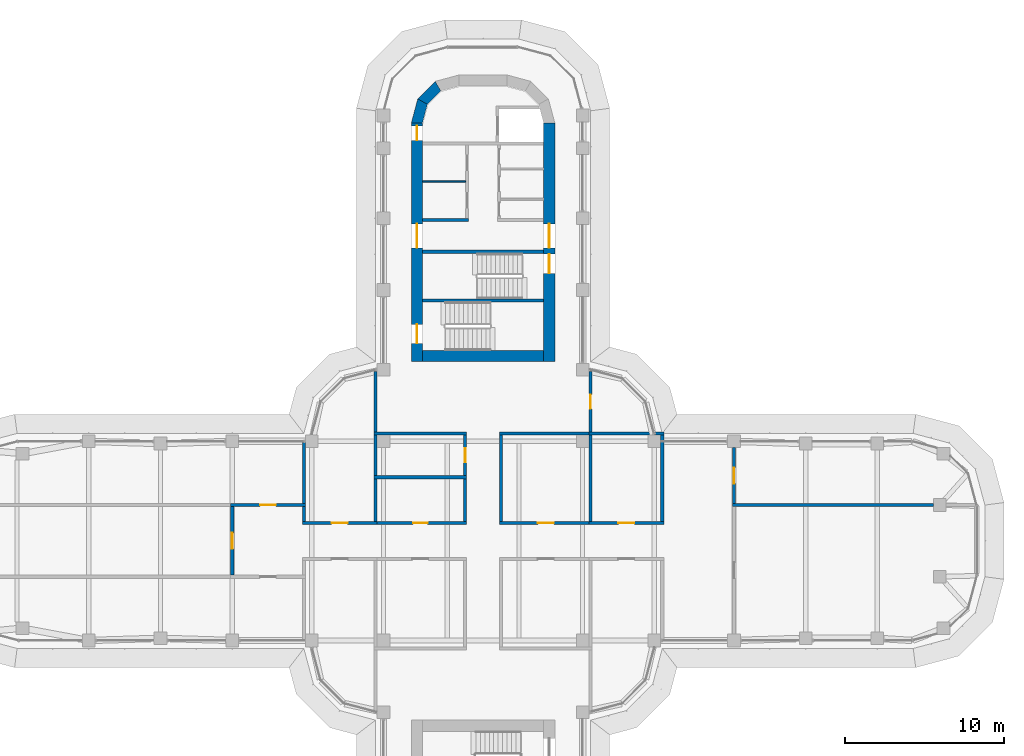
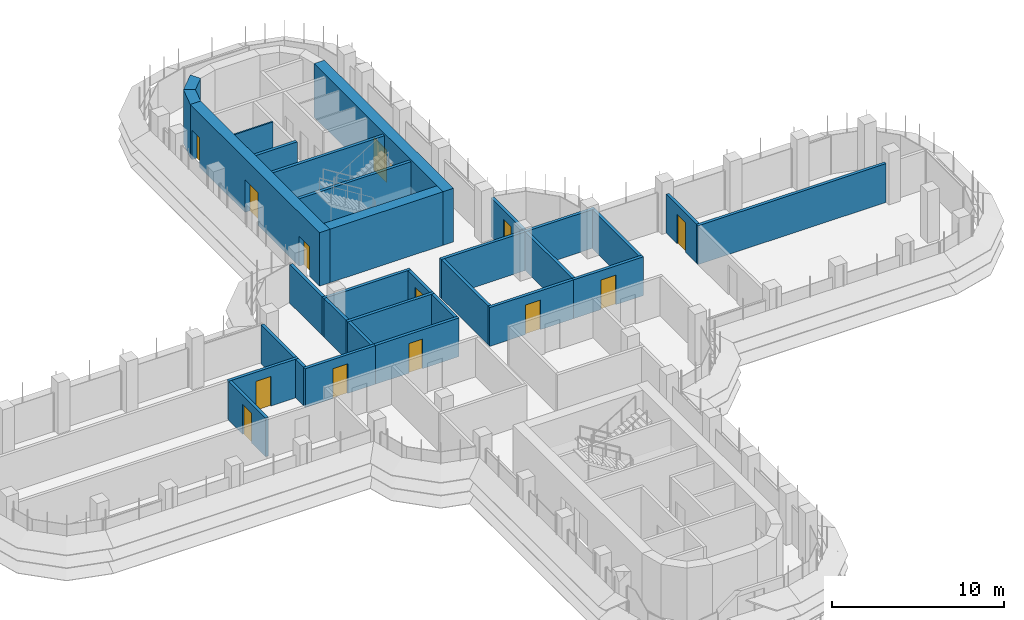
# One storey, part 15 of 20: 32 walls, 14 doors, 14 openings.
"""IFC4 building model written with IfcOpenShell, lengths in metres."""

from ifc_helpers import new_model, si_unit, direction, frame, frame_2d, origin, place, context, subcontext, project, spatial, polyline, rectangle, outline, extrude, material, layer, layer_set, type_object, element, fill, save


model = new_model("IFC4")

# Units and contexts
model_context = context("Model", 3, precision=1e-05, world=origin(), true_north=direction((0.0, 1.0)))
body_context = subcontext(model_context, "Body", "Model", "MODEL_VIEW")
ifc_project = project(units=[si_unit("LENGTHUNIT", "METRE"), si_unit("AREAUNIT", "SQUARE_METRE"), si_unit("VOLUMEUNIT", "CUBIC_METRE"), si_unit("PLANEANGLEUNIT", "RADIAN"), si_unit("MASSUNIT", "GRAM", prefix="KILO")], contexts=[model_context])

# Site, building, storey
site_placement = place(None, origin())
site = spatial("IfcSite", under=ifc_project, at=site_placement, CompositionType="ELEMENT")
building_placement = place(site_placement, origin())
building = spatial("IfcBuilding", under=site, at=building_placement, Name="Zarbagh Exchange Tower", CompositionType="ELEMENT")
storey_placement = place(building_placement, frame((0.0, 0.0, 156.199951171875)))
storey = spatial("IfcBuildingStorey", under=building, at=storey_placement, Name="L37", CompositionType="ELEMENT", Elevation=156.199951171875)

# Wall
ifc_material_1 = material(Name="Dense blockwork", Category="masonry")
ifc_layer_1 = layer(ifc_material_1, 0.10009765625)
ifc_layer_set_1 = layer_set([ifc_layer_1], Name="Core partition 100 mm blockwork")
wall_type_1 = type_object("IfcWallType", Name="Core partition 100 mm blockwork", PredefinedType="PARTITIONING", material=ifc_layer_set_1)
wall_1_placement = place(storey_placement, frame((-3.800048828125, 22.550048828125, 0.0), z_axis=(0.0, 0.0, 1.0), x_axis=(1.0, 0.0, 0.0)))
element("IfcWall", 1, at=wall_1_placement, inside=storey, type_object=wall_type_1, Name="North core partition wall CUT-W-580", PredefinedType="PARTITIONING", context=body_context, shape_type="SweptSolid", body=[
    extrude(rectangle(XDim=2.699951171875, YDim=0.10009765625, at=frame_2d((1.35009765625, 0.0))), origin(), (0.0, 0.0, 1.0), 3.650146484375),
])

# Wall, opening, door
ifc_material_2 = material(Name="Fire-rated plasterboard partition")
ifc_layer_2 = layer(ifc_material_2, 0.199951171875)
ifc_layer_set_2 = layer_set([ifc_layer_2], Name="RATED PARTITION 200")
wall_type_2 = type_object("IfcWallType", Name="RATED PARTITION 200", PredefinedType="PARTITIONING", material=ifc_layer_set_2)
wall_2_placement = place(storey_placement, frame((1.02490234375, 1.125, 0.0), z_axis=(0.0, 0.0, 1.0), x_axis=(1.0, 0.0, 0.0)))
wall_2 = element("IfcWall", 2, at=wall_2_placement, inside=storey, type_object=wall_type_2, Name="Partition W-1601", PredefinedType="PARTITIONING", context=body_context, shape_type="SweptSolid", body=[
    extrude(rectangle(XDim=5.8251953125, YDim=0.199951171875, at=frame_2d((2.91259765625, 0.0))), origin(), (0.0, 0.0, 1.0), 2.75),
])
opening_1_placement = place(wall_2_placement, frame((2.41259765625, 0.0, 0.0)))
opening_1 = element("IfcOpeningElement", 3, at=opening_1_placement, cuts=wall_2, Name="Opening D-1603", PredefinedType="OPENING", context=body_context, shape_type="SweptSolid", body=[
    extrude(rectangle(XDim=1.0, YDim=2.10009765625, at=frame_2d((0.5, 1.050048828125))), frame((0.0, 0.10986328125, 0.0), z_axis=(0.0, -1.0, 0.0), x_axis=(1.0, 0.0, 0.0)), (0.0, 0.0, 1.0), 0.219970703125),
])
ifc_material_3 = material(Name="Steel door set", Category="steel")
door_type_1 = type_object("IfcDoorType", Name="FIRE DOOR 1000 X 2100 FD30S", OperationType="NOTDEFINED", PredefinedType="DOOR", material=ifc_material_3)
door_1_placement = place(opening_1_placement, origin())
door_1 = element("IfcDoor", 4, at=door_1_placement, inside=storey, type_object=door_type_1, Name="Door D-1603", OperationType="SINGLE_SWING_RIGHT", OverallHeight=2.10009765625, OverallWidth=1.0, PredefinedType="DOOR", context=body_context, shape_type="SweptSolid", body=[
    extrude(rectangle(XDim=1.0, YDim=2.10009765625, at=frame_2d((0.5, 1.050048828125))), frame((0.0, 0.02490234375, 0.0), z_axis=(0.0, -1.0, 0.0), x_axis=(1.0, 0.0, 0.0)), (0.0, 0.0, 1.0), 0.050048828125),
])
fill(opening_1, door_1)

wall_3_placement = place(storey_placement, frame((6.64990234375, 1.125, 0.0), z_axis=(0.0, 0.0, 1.0), x_axis=(1.0, 0.0, 0.0)))
wall_3 = element("IfcWall", 5, at=wall_3_placement, inside=storey, type_object=wall_type_2, Name="Partition W-1602", PredefinedType="PARTITIONING", context=body_context, shape_type="SweptSolid", body=[
    extrude(rectangle(XDim=4.7001953125, YDim=0.199951171875, at=frame_2d((2.35009765625, 0.0))), origin(), (0.0, 0.0, 1.0), 2.75),
])
opening_2_placement = place(wall_3_placement, frame((1.85009765625, 0.0, 0.0)))
opening_2 = element("IfcOpeningElement", 6, at=opening_2_placement, cuts=wall_3, Name="Opening D-1604", PredefinedType="OPENING", context=body_context, shape_type="SweptSolid", body=[
    extrude(rectangle(XDim=1.0, YDim=2.10009765625, at=frame_2d((0.5, 1.050048828125))), frame((0.0, 0.10986328125, 0.0), z_axis=(0.0, -1.0, 0.0), x_axis=(1.0, 0.0, 0.0)), (0.0, 0.0, 1.0), 0.219970703125),
])
door_2_placement = place(opening_2_placement, origin())
door_2 = element("IfcDoor", 7, at=door_2_placement, inside=storey, type_object=door_type_1, Name="Door D-1604", OperationType="SINGLE_SWING_RIGHT", OverallHeight=2.10009765625, OverallWidth=1.0, PredefinedType="DOOR", context=body_context, shape_type="SweptSolid", body=[
    extrude(rectangle(XDim=1.0, YDim=2.10009765625, at=frame_2d((0.5, 1.050048828125))), frame((0.0, 0.02490234375, 0.0), z_axis=(0.0, -1.0, 0.0), x_axis=(1.0, 0.0, 0.0)), (0.0, 0.0, 1.0), 0.050048828125),
])
fill(opening_2, door_2)

wall_4_placement = place(storey_placement, frame((-6.85009765625, 1.125, 0.0), z_axis=(0.0, 0.0, 1.0), x_axis=(1.0, 0.0, 0.0)))
wall_4 = element("IfcWall", 8, at=wall_4_placement, inside=storey, type_object=wall_type_2, Name="Partition W-1603", PredefinedType="PARTITIONING", context=body_context, shape_type="SweptSolid", body=[
    extrude(rectangle(XDim=5.8251953125, YDim=0.199951171875, at=frame_2d((2.91259765625, 0.0))), origin(), (0.0, 0.0, 1.0), 2.75),
])
opening_3_placement = place(wall_4_placement, frame((2.46240234375, 0.0, 0.0)))
opening_3 = element("IfcOpeningElement", 9, at=opening_3_placement, cuts=wall_4, Name="Opening D-1606", PredefinedType="OPENING", context=body_context, shape_type="SweptSolid", body=[
    extrude(rectangle(XDim=0.89990234375, YDim=2.10009765625, at=frame_2d((0.449951171875, 1.050048828125))), frame((0.0, 0.10986328125, 0.0), z_axis=(0.0, -1.0, 0.0), x_axis=(1.0, 0.0, 0.0)), (0.0, 0.0, 1.0), 0.219970703125),
])
ifc_material_4 = material(Name="Timber door leaf", Category="wood")
door_type_2 = type_object("IfcDoorType", Name="DOOR 900 X 2100", OperationType="NOTDEFINED", PredefinedType="DOOR", material=ifc_material_4)
door_3_placement = place(opening_3_placement, origin())
door_3 = element("IfcDoor", 10, at=door_3_placement, inside=storey, type_object=door_type_2, Name="Door D-1606", OperationType="SINGLE_SWING_RIGHT", OverallHeight=2.10009765625, OverallWidth=0.89990234375, PredefinedType="DOOR", context=body_context, shape_type="SweptSolid", body=[
    extrude(rectangle(XDim=0.89990234375, YDim=2.10009765625, at=frame_2d((0.449951171875, 1.050048828125))), frame((0.0, 0.02490234375, 0.0), z_axis=(0.0, -1.0, 0.0), x_axis=(1.0, 0.0, 0.0)), (0.0, 0.0, 1.0), 0.050048828125),
])
fill(opening_3, door_3)

wall_5_placement = place(storey_placement, frame((-11.35009765625, 1.125, 0.0), z_axis=(0.0, 0.0, 1.0), x_axis=(1.0, 0.0, 0.0)))
wall_5 = element("IfcWall", 11, at=wall_5_placement, inside=storey, type_object=wall_type_2, Name="Partition W-1604", PredefinedType="PARTITIONING", context=body_context, shape_type="SweptSolid", body=[
    extrude(rectangle(XDim=4.7001953125, YDim=0.199951171875, at=frame_2d((2.35009765625, 0.0))), origin(), (0.0, 0.0, 1.0), 2.75),
])
opening_4_placement = place(wall_5_placement, frame((1.85009765625, 0.0, 0.0)))
opening_4 = element("IfcOpeningElement", 12, at=opening_4_placement, cuts=wall_5, Name="Opening D-1608", PredefinedType="OPENING", context=body_context, shape_type="SweptSolid", body=[
    extrude(rectangle(XDim=1.0, YDim=2.10009765625, at=frame_2d((0.5, 1.050048828125))), frame((0.0, 0.10986328125, 0.0), z_axis=(0.0, -1.0, 0.0), x_axis=(1.0, 0.0, 0.0)), (0.0, 0.0, 1.0), 0.219970703125),
])
door_4_placement = place(opening_4_placement, origin())
door_4 = element("IfcDoor", 13, at=door_4_placement, inside=storey, type_object=door_type_1, Name="Door D-1608", OperationType="SINGLE_SWING_RIGHT", OverallHeight=2.10009765625, OverallWidth=1.0, PredefinedType="DOOR", context=body_context, shape_type="SweptSolid", body=[
    extrude(rectangle(XDim=1.0, YDim=2.10009765625, at=frame_2d((0.5, 1.050048828125))), frame((0.0, 0.02490234375, 0.0), z_axis=(0.0, -1.0, 0.0), x_axis=(1.0, 0.0, 0.0)), (0.0, 0.0, 1.0), 0.050048828125),
])
fill(opening_4, door_4)

# Walls
wall_6_placement = place(storey_placement, frame((1.125, 1.22509765625, 0.0), z_axis=(0.0, 0.0, 1.0), x_axis=(0.0, 1.0, 0.0)))
element("IfcWall", 14, at=wall_6_placement, inside=storey, type_object=wall_type_2, Name="Partition W-1609", PredefinedType="PARTITIONING", context=body_context, shape_type="SweptSolid", body=[
    extrude(rectangle(XDim=5.4248046875, YDim=0.199951171875, at=frame_2d((2.71240234375, 0.0))), origin(), (0.0, 0.0, 1.0), 2.75),
])
wall_7_placement = place(storey_placement, frame((-1.125, 1.22509765625, 0.0), z_axis=(0.0, 0.0, 1.0), x_axis=(0.0, 1.0, 0.0)))
element("IfcWall", 15, at=wall_7_placement, inside=storey, type_object=wall_type_2, Name="Partition W-1610", PredefinedType="PARTITIONING", context=body_context, shape_type="SweptSolid", body=[
    extrude(rectangle(XDim=2.6748046875, YDim=0.199951171875, at=frame_2d((1.33740234375, 0.0))), origin(), (0.0, 0.0, 1.0), 2.75),
])

# Wall, opening, door
wall_8_placement = place(storey_placement, frame((-1.125, 4.10009765625, 0.0), z_axis=(0.0, 0.0, 1.0), x_axis=(0.0, 1.0, 0.0)))
wall_8 = element("IfcWall", 16, at=wall_8_placement, inside=storey, type_object=wall_type_2, Name="Partition W-1611", PredefinedType="PARTITIONING", context=body_context, shape_type="SweptSolid", body=[
    extrude(rectangle(XDim=2.5498046875, YDim=0.199951171875, at=frame_2d((1.27490234375, 0.0))), origin(), (0.0, 0.0, 1.0), 2.75),
])
opening_5_placement = place(wall_8_placement, frame((0.824951171875, 0.0, 0.0)))
opening_5 = element("IfcOpeningElement", 17, at=opening_5_placement, cuts=wall_8, Name="Opening D-1607", PredefinedType="OPENING", context=body_context, shape_type="SweptSolid", body=[
    extrude(rectangle(XDim=0.89990234375, YDim=2.10009765625, at=frame_2d((0.449951171875, 1.050048828125))), frame((0.0, 0.10986328125, 0.0), z_axis=(0.0, -1.0, 0.0), x_axis=(1.0, 0.0, 0.0)), (0.0, 0.0, 1.0), 0.219970703125),
])
door_5_placement = place(opening_5_placement, origin())
door_5 = element("IfcDoor", 18, at=door_5_placement, inside=storey, type_object=door_type_2, Name="Door D-1607", OperationType="SINGLE_SWING_RIGHT", OverallHeight=2.10009765625, OverallWidth=0.89990234375, PredefinedType="DOOR", context=body_context, shape_type="SweptSolid", body=[
    extrude(rectangle(XDim=0.89990234375, YDim=2.10009765625, at=frame_2d((0.449951171875, 1.050048828125))), frame((0.0, 0.02490234375, 0.0), z_axis=(0.0, -1.0, 0.0), x_axis=(1.0, 0.0, 0.0)), (0.0, 0.0, 1.0), 0.050048828125),
])
fill(opening_5, door_5)

# Wall
wall_9_placement = place(storey_placement, frame((1.02490234375, 6.75, 0.0), z_axis=(0.0, 0.0, 1.0), x_axis=(1.0, 0.0, 0.0)))
element("IfcWall", 19, at=wall_9_placement, inside=storey, type_object=wall_type_2, Name="Partition W-1614", PredefinedType="PARTITIONING", context=body_context, shape_type="SweptSolid", body=[
    extrude(rectangle(XDim=5.8251953125, YDim=0.199951171875, at=frame_2d((2.91259765625, 0.0))), origin(), (0.0, 0.0, 1.0), 2.75),
])

# Wall, opening, door
wall_10_placement = place(storey_placement, frame((6.75, 10.6298828125, 0.0), z_axis=(0.0, 0.0, 1.0), x_axis=(0.0, -1.0, 0.0)))
wall_10 = element("IfcWall", 20, at=wall_10_placement, inside=storey, type_object=wall_type_2, Name="Partition W-1615", PredefinedType="PARTITIONING", context=body_context, shape_type="SweptSolid", body=[
    extrude(rectangle(XDim=3.77978515625, YDim=0.199951171875, at=frame_2d((1.889892578125, 0.0))), origin(), (0.0, 0.0, 1.0), 2.75),
])
opening_6_placement = place(wall_10_placement, frame((1.43994140625, 0.0, 0.0)))
opening_6 = element("IfcOpeningElement", 21, at=opening_6_placement, cuts=wall_10, Name="Opening D-1605", PredefinedType="OPENING", context=body_context, shape_type="SweptSolid", body=[
    extrude(rectangle(XDim=0.89990234375, YDim=2.10009765625, at=frame_2d((0.449951171875, 1.050048828125))), frame((0.0, 0.10986328125, 0.0), z_axis=(0.0, -1.0, 0.0), x_axis=(1.0, 0.0, 0.0)), (0.0, 0.0, 1.0), 0.219970703125),
])
door_6_placement = place(opening_6_placement, origin())
door_6 = element("IfcDoor", 22, at=door_6_placement, inside=storey, type_object=door_type_2, Name="Door D-1605", OperationType="SINGLE_SWING_RIGHT", OverallHeight=2.10009765625, OverallWidth=0.89990234375, PredefinedType="DOOR", context=body_context, shape_type="SweptSolid", body=[
    extrude(rectangle(XDim=0.89990234375, YDim=2.10009765625, at=frame_2d((0.449951171875, 1.050048828125))), frame((0.0, 0.02490234375, 0.0), z_axis=(0.0, -1.0, 0.0), x_axis=(1.0, 0.0, 0.0)), (0.0, 0.0, 1.0), 0.050048828125),
])
fill(opening_6, door_6)

# Walls
wall_11_placement = place(storey_placement, frame((-6.85009765625, 6.75, 0.0), z_axis=(0.0, 0.0, 1.0), x_axis=(1.0, 0.0, 0.0)))
element("IfcWall", 23, at=wall_11_placement, inside=storey, type_object=wall_type_2, Name="Partition W-1616", PredefinedType="PARTITIONING", context=body_context, shape_type="SweptSolid", body=[
    extrude(rectangle(XDim=5.8251953125, YDim=0.199951171875, at=frame_2d((2.91259765625, 0.0))), origin(), (0.0, 0.0, 1.0), 2.75),
])
wall_12_placement = place(storey_placement, frame((-6.75, 6.85009765625, 0.0), z_axis=(0.0, 0.0, 1.0), x_axis=(0.0, 1.0, 0.0)))
element("IfcWall", 24, at=wall_12_placement, inside=storey, type_object=wall_type_2, Name="Partition W-1617", PredefinedType="PARTITIONING", context=body_context, shape_type="SweptSolid", body=[
    extrude(rectangle(XDim=3.77978515625, YDim=0.199951171875, at=frame_2d((1.889892578125, 0.0))), origin(), (0.0, 0.0, 1.0), 2.75),
])
wall_13_placement = place(storey_placement, frame((6.75, 1.22509765625, 0.0), z_axis=(0.0, 0.0, 1.0), x_axis=(0.0, 1.0, 0.0)))
element("IfcWall", 25, at=wall_13_placement, inside=storey, type_object=wall_type_2, Name="Partition W-1622", PredefinedType="PARTITIONING", context=body_context, shape_type="SweptSolid", body=[
    extrude(rectangle(XDim=5.4248046875, YDim=0.199951171875, at=frame_2d((2.71240234375, 0.0))), origin(), (0.0, 0.0, 1.0), 2.75),
])
wall_14_placement = place(storey_placement, frame((6.64990234375, 6.75, 0.0), z_axis=(0.0, 0.0, 1.0), x_axis=(1.0, 0.0, 0.0)))
element("IfcWall", 26, at=wall_14_placement, inside=storey, type_object=wall_type_2, Name="Partition W-1623", PredefinedType="PARTITIONING", context=body_context, shape_type="SweptSolid", body=[
    extrude(rectangle(XDim=4.7001953125, YDim=0.199951171875, at=frame_2d((2.35009765625, 0.0))), origin(), (0.0, 0.0, 1.0), 2.75),
])
wall_15_placement = place(storey_placement, frame((11.25, 1.22509765625, 0.0), z_axis=(0.0, 0.0, 1.0), x_axis=(0.0, 1.0, 0.0)))
element("IfcWall", 27, at=wall_15_placement, inside=storey, type_object=wall_type_2, Name="Partition W-1624", PredefinedType="PARTITIONING", context=body_context, shape_type="SweptSolid", body=[
    extrude(rectangle(XDim=5.4248046875, YDim=0.199951171875, at=frame_2d((2.71240234375, 0.0))), origin(), (0.0, 0.0, 1.0), 2.75),
])
wall_16_placement = place(storey_placement, frame((-6.85009765625, 4.0, 0.0), z_axis=(0.0, 0.0, 1.0), x_axis=(1.0, 0.0, 0.0)))
element("IfcWall", 28, at=wall_16_placement, inside=storey, type_object=wall_type_2, Name="Partition W-1625", PredefinedType="PARTITIONING", context=body_context, shape_type="SweptSolid", body=[
    extrude(rectangle(XDim=5.8251953125, YDim=0.199951171875, at=frame_2d((2.91259765625, 0.0))), origin(), (0.0, 0.0, 1.0), 2.75),
])
wall_17_placement = place(storey_placement, frame((-6.75, 1.22509765625, 0.0), z_axis=(0.0, 0.0, 1.0), x_axis=(0.0, 1.0, 0.0)))
element("IfcWall", 29, at=wall_17_placement, inside=storey, type_object=wall_type_2, Name="Partition W-1626", PredefinedType="PARTITIONING", context=body_context, shape_type="SweptSolid", body=[
    extrude(rectangle(XDim=2.6748046875, YDim=0.199951171875, at=frame_2d((1.33740234375, 0.0))), origin(), (0.0, 0.0, 1.0), 2.75),
])
wall_18_placement = place(storey_placement, frame((-6.75, 4.10009765625, 0.0), z_axis=(0.0, 0.0, 1.0), x_axis=(0.0, 1.0, 0.0)))
element("IfcWall", 30, at=wall_18_placement, inside=storey, type_object=wall_type_2, Name="Partition W-1627", PredefinedType="PARTITIONING", context=body_context, shape_type="SweptSolid", body=[
    extrude(rectangle(XDim=2.5498046875, YDim=0.199951171875, at=frame_2d((1.27490234375, 0.0))), origin(), (0.0, 0.0, 1.0), 2.75),
])
wall_19_placement = place(storey_placement, frame((-11.25, 1.22509765625, 0.0), z_axis=(0.0, 0.0, 1.0), x_axis=(0.0, 1.0, 0.0)))
element("IfcWall", 31, at=wall_19_placement, inside=storey, type_object=wall_type_2, Name="Partition W-1628", PredefinedType="PARTITIONING", context=body_context, shape_type="SweptSolid", body=[
    extrude(rectangle(XDim=0.9248046875, YDim=0.199951171875, at=frame_2d((0.46240234375, 0.0))), origin(), (0.0, 0.0, 1.0), 2.75),
])
wall_20_placement = place(storey_placement, frame((-11.25, 2.35009765625, 0.0), z_axis=(0.0, 0.0, 1.0), x_axis=(0.0, 1.0, 0.0)))
element("IfcWall", 32, at=wall_20_placement, inside=storey, type_object=wall_type_2, Name="Partition W-1629", PredefinedType="PARTITIONING", context=body_context, shape_type="SweptSolid", body=[
    extrude(rectangle(XDim=3.81982421875, YDim=0.199951171875, at=frame_2d((1.909912109375, 0.0))), origin(), (0.0, 0.0, 1.0), 2.75),
])

# Wall, opening, door
wall_21_placement = place(storey_placement, frame((15.75, 5.85009765625, 0.0), z_axis=(0.0, 0.0, 1.0), x_axis=(0.0, -1.0, 0.0)))
wall_21 = element("IfcWall", 33, at=wall_21_placement, inside=storey, type_object=wall_type_2, Name="Partition W-1636", PredefinedType="PARTITIONING", context=body_context, shape_type="SweptSolid", body=[
    extrude(rectangle(XDim=3.5, YDim=0.199951171875, at=frame_2d((1.75, 0.0))), origin(), (0.0, 0.0, 1.0), 2.75),
])
opening_7_placement = place(wall_21_placement, frame((1.25, 0.0, 0.0)))
opening_7 = element("IfcOpeningElement", 34, at=opening_7_placement, cuts=wall_21, Name="Opening D-1602", PredefinedType="OPENING", context=body_context, shape_type="SweptSolid", body=[
    extrude(rectangle(XDim=1.0, YDim=2.10009765625, at=frame_2d((0.5, 1.050048828125))), frame((0.0, 0.10986328125, 0.0), z_axis=(0.0, -1.0, 0.0), x_axis=(1.0, 0.0, 0.0)), (0.0, 0.0, 1.0), 0.219970703125),
])
door_7_placement = place(opening_7_placement, origin())
door_7 = element("IfcDoor", 35, at=door_7_placement, inside=storey, type_object=door_type_1, Name="Door D-1602", OperationType="SINGLE_SWING_RIGHT", OverallHeight=2.10009765625, OverallWidth=1.0, PredefinedType="DOOR", context=body_context, shape_type="SweptSolid", body=[
    extrude(rectangle(XDim=1.0, YDim=2.10009765625, at=frame_2d((0.5, 1.050048828125))), frame((0.0, 0.02490234375, 0.0), z_axis=(0.0, -1.0, 0.0), x_axis=(1.0, 0.0, 0.0)), (0.0, 0.0, 1.0), 0.050048828125),
])
fill(opening_7, door_7)

# Wall
wall_22_placement = place(storey_placement, frame((15.64990234375, 2.25, 0.0), z_axis=(0.0, 0.0, 1.0), x_axis=(1.0, 0.0, 0.0)))
element("IfcWall", 36, at=wall_22_placement, inside=storey, type_object=wall_type_2, Name="Partition W-1637", PredefinedType="PARTITIONING", context=body_context, shape_type="SweptSolid", body=[
    extrude(rectangle(XDim=12.6201171875, YDim=0.199951171875, at=frame_2d((6.31005859375, 0.0))), origin(), (0.0, 0.0, 1.0), 2.75),
])

# Wall, opening, door
wall_23_placement = place(storey_placement, frame((-15.85009765625, 2.25, 0.0), z_axis=(0.0, 0.0, 1.0), x_axis=(1.0, 0.0, 0.0)))
wall_23 = element("IfcWall", 37, at=wall_23_placement, inside=storey, type_object=wall_type_2, Name="Partition W-1639", PredefinedType="PARTITIONING", context=body_context, shape_type="SweptSolid", body=[
    extrude(rectangle(XDim=4.7001953125, YDim=0.199951171875, at=frame_2d((2.35009765625, 0.0))), origin(), (0.0, 0.0, 1.0), 2.75),
])
opening_8_placement = place(wall_23_placement, frame((1.85009765625, 0.0, 0.0)))
opening_8 = element("IfcOpeningElement", 38, at=opening_8_placement, cuts=wall_23, Name="Opening D-1614", PredefinedType="OPENING", context=body_context, shape_type="SweptSolid", body=[
    extrude(rectangle(XDim=1.0, YDim=2.10009765625, at=frame_2d((0.5, 1.050048828125))), frame((0.0, 0.10986328125, 0.0), z_axis=(0.0, -1.0, 0.0), x_axis=(1.0, 0.0, 0.0)), (0.0, 0.0, 1.0), 0.219970703125),
])
door_8_placement = place(opening_8_placement, origin())
door_8 = element("IfcDoor", 39, at=door_8_placement, inside=storey, type_object=door_type_1, Name="Door D-1614", OperationType="SINGLE_SWING_RIGHT", OverallHeight=2.10009765625, OverallWidth=1.0, PredefinedType="DOOR", context=body_context, shape_type="SweptSolid", body=[
    extrude(rectangle(XDim=1.0, YDim=2.10009765625, at=frame_2d((0.5, 1.050048828125))), frame((0.0, 0.02490234375, 0.0), z_axis=(0.0, -1.0, 0.0), x_axis=(1.0, 0.0, 0.0)), (0.0, 0.0, 1.0), 0.050048828125),
])
fill(opening_8, door_8)

wall_24_placement = place(storey_placement, frame((-15.75, -2.14990234375, 0.0), z_axis=(0.0, 0.0, 1.0), x_axis=(0.0, 1.0, 0.0)))
wall_24 = element("IfcWall", 40, at=wall_24_placement, inside=storey, type_object=wall_type_2, Name="Partition W-1641", PredefinedType="PARTITIONING", context=body_context, shape_type="SweptSolid", body=[
    extrude(rectangle(XDim=4.2998046875, YDim=0.199951171875, at=frame_2d((2.14990234375, 0.0))), origin(), (0.0, 0.0, 1.0), 2.75),
])
opening_9_placement = place(wall_24_placement, frame((1.64990234375, 0.0, 0.0)))
opening_9 = element("IfcOpeningElement", 41, at=opening_9_placement, cuts=wall_24, Name="Opening D-1613", PredefinedType="OPENING", context=body_context, shape_type="SweptSolid", body=[
    extrude(rectangle(XDim=1.0, YDim=2.10009765625, at=frame_2d((0.5, 1.050048828125))), frame((0.0, 0.10986328125, 0.0), z_axis=(0.0, -1.0, 0.0), x_axis=(1.0, 0.0, 0.0)), (0.0, 0.0, 1.0), 0.219970703125),
])
door_9_placement = place(opening_9_placement, origin())
door_9 = element("IfcDoor", 42, at=door_9_placement, inside=storey, type_object=door_type_1, Name="Door D-1613", OperationType="SINGLE_SWING_RIGHT", OverallHeight=2.10009765625, OverallWidth=1.0, PredefinedType="DOOR", context=body_context, shape_type="SweptSolid", body=[
    extrude(rectangle(XDim=1.0, YDim=2.10009765625, at=frame_2d((0.5, 1.050048828125))), frame((0.0, 0.02490234375, 0.0), z_axis=(0.0, -1.0, 0.0), x_axis=(1.0, 0.0, 0.0)), (0.0, 0.0, 1.0), 0.050048828125),
])
fill(opening_9, door_9)

# Walls
ifc_material_5 = material(Name="Concrete C50/60", Category="concrete")
ifc_layer_3 = layer(ifc_material_5, 0.699951171875)
ifc_layer_set_3 = layer_set([ifc_layer_3], Name="RC core corner wall 700 C50/60")
wall_type_3 = type_object("IfcWallType", Name="RC core corner wall 700 C50/60", PredefinedType="SHEAR", material=ifc_layer_set_3)
wall_25_placement = place(storey_placement, origin())
element("IfcWall", 43, at=wall_25_placement, inside=storey, type_object=wall_type_3, Name="CW6 core N corner W", PredefinedType="SHEAR", context=body_context, shape_type="SweptSolid", body=[
    extrude(outline(polyline([(-4.5, 26.25), (-4.09814453125, 27.75), (-3.491943359375, 27.39990234375), (-3.800048828125, 26.25), (-4.5, 26.25)])), origin(), (0.0, 0.0, 1.0), 3.800048828125),
])
wall_26_placement = place(storey_placement, origin())
element("IfcWall", 44, at=wall_26_placement, inside=storey, type_object=wall_type_3, Name="CW6 core N corner W", PredefinedType="SHEAR", context=body_context, shape_type="SweptSolid", body=[
    extrude(outline(polyline([(-4.09814453125, 27.75), (-3.0, 28.84814453125), (-2.64990234375, 28.241943359375), (-3.491943359375, 27.39990234375), (-4.09814453125, 27.75)])), origin(), (0.0, 0.0, 1.0), 3.800048828125),
])

# Wall, openings, doors
ifc_layer_4 = layer(ifc_material_5, 0.699951171875)
ifc_layer_set_4 = layer_set([ifc_layer_4], Name="RC core wall 700 C50/60")
wall_type_4 = type_object("IfcWallType", Name="RC core wall 700 C50/60", PredefinedType="SHEAR", material=ifc_layer_set_4)
wall_27_placement = place(storey_placement, frame((-4.14990234375, 11.25, 0.0), z_axis=(0.0, 0.0, 1.0), x_axis=(0.0, 1.0, 0.0)))
wall_27 = element("IfcWall", 45, at=wall_27_placement, inside=storey, type_object=wall_type_4, Name="CW5 core N W", PredefinedType="SHEAR", context=body_context, shape_type="SweptSolid", body=[
    extrude(rectangle(XDim=15.0, YDim=0.699951171875, at=frame_2d((7.5, 0.0))), origin(), (0.0, 0.0, 1.0), 3.800048828125),
])
opening_10_placement = place(wall_27_placement, frame((7.14990234375, 0.0, 0.0)))
opening_10 = element("IfcOpeningElement", 46, at=opening_10_placement, cuts=wall_27, Name="Opening CD1-1500", PredefinedType="OPENING", context=body_context, shape_type="SweptSolid", body=[
    extrude(rectangle(XDim=1.5, YDim=2.300048828125, at=frame_2d((0.75, 1.14990234375))), frame((0.0, 0.35986328125, 0.0), z_axis=(0.0, -1.0, 0.0), x_axis=(1.0, 0.0, 0.0)), (0.0, 0.0, 1.0), 0.719970703125),
])
opening_11_placement = place(wall_27_placement, frame((13.89990234375, 0.0, 0.0)))
opening_11 = element("IfcOpeningElement", 47, at=opening_11_placement, cuts=wall_27, Name="Opening CD2-900", PredefinedType="OPENING", context=body_context, shape_type="SweptSolid", body=[
    extrude(rectangle(XDim=0.89990234375, YDim=2.10009765625, at=frame_2d((0.449951171875, 1.050048828125))), frame((0.0, 0.35986328125, 0.0), z_axis=(0.0, -1.0, 0.0), x_axis=(1.0, 0.0, 0.0)), (0.0, 0.0, 1.0), 0.719970703125),
])
opening_12_placement = place(wall_27_placement, frame((1.14990234375, 0.0, 0.0)))
opening_12 = element("IfcOpeningElement", 48, at=opening_12_placement, cuts=wall_27, Name="Opening SD1-1200", PredefinedType="OPENING", context=body_context, shape_type="SweptSolid", body=[
    extrude(rectangle(XDim=1.199951171875, YDim=2.10009765625, at=frame_2d((0.60009765625, 1.050048828125))), frame((0.0, 0.35986328125, 0.0), z_axis=(0.0, -1.0, 0.0), x_axis=(1.0, 0.0, 0.0)), (0.0, 0.0, 1.0), 0.719970703125),
])
ifc_material_6 = material(Name="Steel", Category="steel")
door_type_3 = type_object("IfcDoorType", Name="Exit stair door 1200 x 2100", OperationType="NOTDEFINED", PredefinedType="DOOR", material=ifc_material_6)
door_10_placement = place(opening_12_placement, origin())
door_10 = element("IfcDoor", 49, at=door_10_placement, inside=storey, type_object=door_type_3, Name="North core stair door ST2", OperationType="SINGLE_SWING_RIGHT", OverallHeight=2.10009765625, OverallWidth=1.199951171875, PredefinedType="DOOR", context=body_context, shape_type="SweptSolid", body=[
    extrude(rectangle(XDim=1.199951171875, YDim=2.10009765625, at=frame_2d((0.60009765625, 1.050048828125))), frame((0.0, 0.02490234375, 0.0), z_axis=(0.0, -1.0, 0.0), x_axis=(1.0, 0.0, 0.0)), (0.0, 0.0, 1.0), 0.050048828125),
])
fill(opening_12, door_10)
door_type_4 = type_object("IfcDoorType", Name="Firefighting lobby door 900 x 2100", OperationType="NOTDEFINED", PredefinedType="DOOR", material=ifc_material_6)
door_11_placement = place(opening_11_placement, origin())
door_11 = element("IfcDoor", 50, at=door_11_placement, inside=storey, type_object=door_type_4, Name="North core firefighting lobby door FF-W", OperationType="SINGLE_SWING_LEFT", OverallHeight=2.10009765625, OverallWidth=0.89990234375, PredefinedType="DOOR", context=body_context, shape_type="SweptSolid", body=[
    extrude(rectangle(XDim=0.89990234375, YDim=2.10009765625, at=frame_2d((0.449951171875, 1.050048828125))), frame((0.0, 0.02490234375, 0.0), z_axis=(0.0, -1.0, 0.0), x_axis=(1.0, 0.0, 0.0)), (0.0, 0.0, 1.0), 0.050048828125),
])
fill(opening_11, door_11)
door_type_5 = type_object("IfcDoorType", Name="Lift lobby double door 1500 x 2300", OperationType="NOTDEFINED", PredefinedType="DOOR", material=ifc_material_6)
door_12_placement = place(opening_10_placement, origin())
door_12 = element("IfcDoor", 51, at=door_12_placement, inside=storey, type_object=door_type_5, Name="North core lift lobby door LOBBY-W", OperationType="DOUBLE_DOOR_SINGLE_SWING", OverallHeight=2.300048828125, OverallWidth=1.5, PredefinedType="DOOR", context=body_context, shape_type="SweptSolid", body=[
    extrude(rectangle(XDim=1.5, YDim=2.300048828125, at=frame_2d((0.75, 1.14990234375))), frame((0.0, 0.02490234375, 0.0), z_axis=(0.0, -1.0, 0.0), x_axis=(1.0, 0.0, 0.0)), (0.0, 0.0, 1.0), 0.050048828125),
])
fill(opening_10, door_12)

wall_28_placement = place(storey_placement, frame((4.14990234375, 11.25, 0.0), z_axis=(0.0, 0.0, 1.0), x_axis=(0.0, 1.0, 0.0)))
wall_28 = element("IfcWall", 52, at=wall_28_placement, inside=storey, type_object=wall_type_4, Name="CW5 core N E", PredefinedType="SHEAR", context=body_context, shape_type="SweptSolid", body=[
    extrude(rectangle(XDim=15.0, YDim=0.699951171875, at=frame_2d((7.5, 0.0))), origin(), (0.0, 0.0, 1.0), 3.800048828125),
])
opening_13_placement = place(wall_28_placement, frame((7.14990234375, 0.0, 0.0)))
opening_13 = element("IfcOpeningElement", 53, at=opening_13_placement, cuts=wall_28, Name="Opening CD1-1500", PredefinedType="OPENING", context=body_context, shape_type="SweptSolid", body=[
    extrude(rectangle(XDim=1.5, YDim=2.300048828125, at=frame_2d((0.75, 1.14990234375))), frame((0.0, 0.35986328125, 0.0), z_axis=(0.0, -1.0, 0.0), x_axis=(1.0, 0.0, 0.0)), (0.0, 0.0, 1.0), 0.719970703125),
])
opening_14_placement = place(wall_28_placement, frame((5.550048828125, 0.0, 0.0)))
opening_14 = element("IfcOpeningElement", 54, at=opening_14_placement, cuts=wall_28, Name="Opening SD1-1200", PredefinedType="OPENING", context=body_context, shape_type="SweptSolid", body=[
    extrude(rectangle(XDim=1.199951171875, YDim=2.10009765625, at=frame_2d((0.60009765625, 1.050048828125))), frame((0.0, 0.35986328125, 0.0), z_axis=(0.0, -1.0, 0.0), x_axis=(1.0, 0.0, 0.0)), (0.0, 0.0, 1.0), 0.719970703125),
])
door_13_placement = place(opening_14_placement, origin())
door_13 = element("IfcDoor", 55, at=door_13_placement, inside=storey, type_object=door_type_3, Name="North core stair door ST1", OperationType="SINGLE_SWING_LEFT", OverallHeight=2.10009765625, OverallWidth=1.199951171875, PredefinedType="DOOR", context=body_context, shape_type="SweptSolid", body=[
    extrude(rectangle(XDim=1.199951171875, YDim=2.10009765625, at=frame_2d((0.60009765625, 1.050048828125))), frame((0.0, 0.02490234375, 0.0), z_axis=(0.0, -1.0, 0.0), x_axis=(1.0, 0.0, 0.0)), (0.0, 0.0, 1.0), 0.050048828125),
])
fill(opening_14, door_13)
door_14_placement = place(opening_13_placement, origin())
door_14 = element("IfcDoor", 56, at=door_14_placement, inside=storey, type_object=door_type_5, Name="North core lift lobby door LOBBY-E", OperationType="DOUBLE_DOOR_SINGLE_SWING", OverallHeight=2.300048828125, OverallWidth=1.5, PredefinedType="DOOR", context=body_context, shape_type="SweptSolid", body=[
    extrude(rectangle(XDim=1.5, YDim=2.300048828125, at=frame_2d((0.75, 1.14990234375))), frame((0.0, 0.02490234375, 0.0), z_axis=(0.0, -1.0, 0.0), x_axis=(1.0, 0.0, 0.0)), (0.0, 0.0, 1.0), 0.050048828125),
])
fill(opening_13, door_14)

# Walls
wall_29_placement = place(storey_placement, frame((-3.800048828125, 11.60009765625, 0.0), z_axis=(0.0, 0.0, 1.0), x_axis=(1.0, 0.0, 0.0)))
element("IfcWall", 57, at=wall_29_placement, inside=storey, type_object=wall_type_4, Name="CW5 core N inner end", PredefinedType="SHEAR", context=body_context, shape_type="SweptSolid", body=[
    extrude(rectangle(XDim=7.60009765625, YDim=0.699951171875, at=frame_2d((3.800048828125, 0.0))), origin(), (0.0, 0.0, 1.0), 3.800048828125),
])
ifc_layer_5 = layer(ifc_material_1, 0.199951171875)
ifc_layer_set_5 = layer_set([ifc_layer_5], Name="Shaft wall 200 mm blockwork")
wall_type_5 = type_object("IfcWallType", Name="Shaft wall 200 mm blockwork", PredefinedType="PARTITIONING", material=ifc_layer_set_5)
wall_30_placement = place(storey_placement, frame((-3.800048828125, 20.14990234375, 0.0), z_axis=(0.0, 0.0, 1.0), x_axis=(1.0, 0.0, 0.0)))
element("IfcWall", 58, at=wall_30_placement, inside=storey, type_object=wall_type_5, Name="North core shaft wall AB-W", PredefinedType="PARTITIONING", context=body_context, shape_type="SweptSolid", body=[
    extrude(rectangle(XDim=2.900146484375, YDim=0.199951171875, at=frame_2d((1.4501953125, 0.0))), origin(), (0.0, 0.0, 1.0), 3.650146484375),
])
ifc_material_7 = material(Name="Concrete C40/50", Category="concrete")
ifc_layer_6 = layer(ifc_material_7, 0.199951171875)
ifc_layer_set_6 = layer_set([ifc_layer_6], Name="Stair enclosure wall 200 mm RC C40/50")
wall_type_6 = type_object("IfcWallType", Name="Stair enclosure wall 200 mm RC C40/50", PredefinedType="SHEAR", material=ifc_layer_set_6)
for number, where, z_axis, x_axis, name in (
    (59, (-3.800048828125, 18.14990234375, 0.0), (0.0, 0.0, 1.0), (1.0, 0.0, 0.0), "North core stair wall BS"),
    (60, (-3.800048828125, 15.10009765625, 0.0), (0.0, 0.0, 1.0), (1.0, 0.0, 0.0), "North core stair wall ST12"),
):
    element("IfcWall", number, at=place(storey_placement, frame(where, z_axis=z_axis, x_axis=x_axis)), inside=storey, type_object=wall_type_6, Name=name, PredefinedType="SHEAR", context=body_context, shape_type="SweptSolid", body=[
        extrude(rectangle(XDim=7.60009765625, YDim=0.199951171875, at=frame_2d((3.800048828125, 0.0))), origin(), (0.0, 0.0, 1.0), 3.650146484375),
    ])

save(model, "model.ifc")
